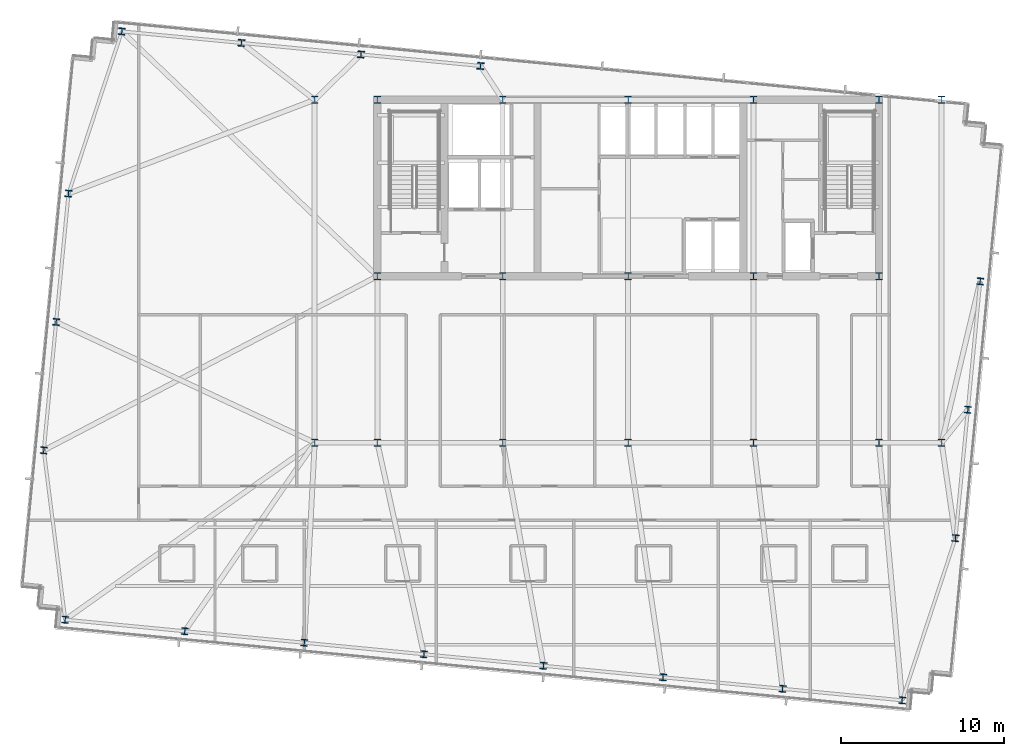
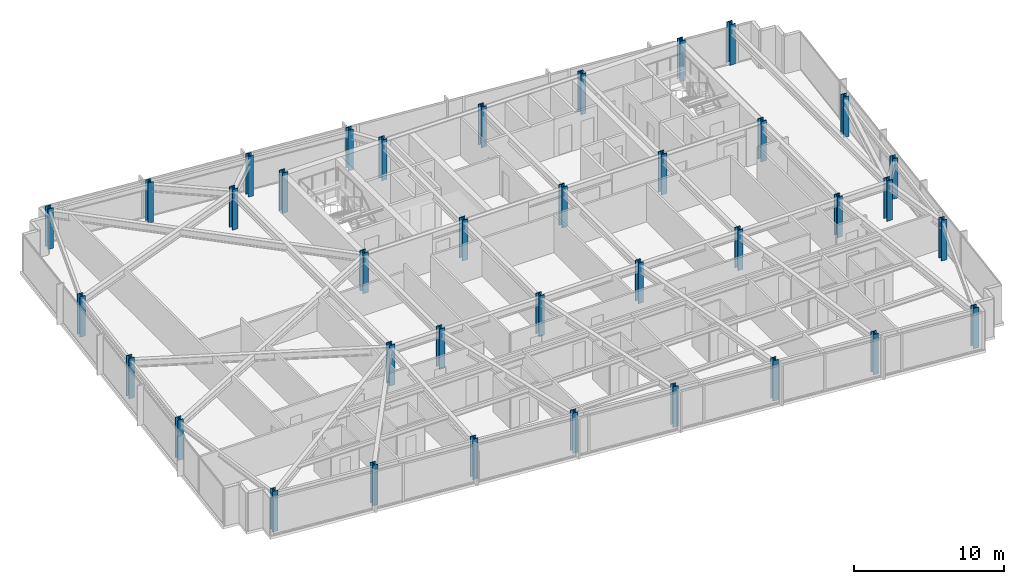
# One storey, part 1 of 38: 37 columns.
"""IFC4 building model written with IfcOpenShell, lengths in metres."""

from ifc_helpers import new_model, si_unit, direction, frame, origin, origin_2d, place, context, subcontext, project, spatial, i_section, extrude, material, material_profile, profile_set, type_object, element, save


model = new_model("IFC4")

# Units and contexts
model_context = context("Model", 3, precision=1e-05, world=origin(), true_north=direction((0.0, 1.0)))
body_context = subcontext(model_context, "Body", "Model", "MODEL_VIEW")
ifc_project = project(units=[si_unit("LENGTHUNIT", "METRE"), si_unit("AREAUNIT", "SQUARE_METRE"), si_unit("VOLUMEUNIT", "CUBIC_METRE"), si_unit("PLANEANGLEUNIT", "RADIAN"), si_unit("MASSUNIT", "GRAM", prefix="KILO")], contexts=[model_context])

# Site, building, storey
site_placement = place(None, origin())
site = spatial("IfcSite", under=ifc_project, at=site_placement, CompositionType="ELEMENT")
building_placement = place(site_placement, origin())
building = spatial("IfcBuilding", under=site, at=building_placement, Name="Yelkora Congress Tower", CompositionType="ELEMENT")
storey_placement = place(building_placement, frame((0.0, 0.0, 185.300048828125)))
storey = spatial("IfcBuildingStorey", under=building, at=storey_placement, Name="L51", CompositionType="ELEMENT", Elevation=185.300048828125)

# Columns
ifc_material = material(Name="Steel S460M", Category="steel")
ifc_material_profile_1 = material_profile(ifc_material, i_section(OverallWidth=0.406005859375, OverallDepth=0.416015625, WebThickness=0.02978515625, FlangeThickness=0.048095703125, FilletRadius=0.014892578125, at=origin_2d()), Name="HD 400x382")
ifc_profile_set_1 = profile_set([ifc_material_profile_1], Name="Steel S460M")
column_type_1 = type_object("IfcColumnType", Name="COL-HD-382-EXT", PredefinedType="COLUMN", material=ifc_profile_set_1)
for number, where, z_axis, x_axis, name in (
    (1, (3.919189453125, 14.357421875, 0.0), (0.0, 0.0, 1.0), (0.995396198367, -0.09584575252, 0.0), "L51 Perimeter Column S01"),
    (2, (11.242431640625, 13.652099609375, 0.0), (0.0, 0.0, 1.0), (0.995396198367, -0.09584575252, 0.0), "L51 Perimeter Column S02"),
    (3, (18.56591796875, 12.947021484375, 0.0), (0.0, 0.0, 1.0), (0.995396198367, -0.09584575252, 0.0), "L51 Perimeter Column S03"),
    (4, (25.888916015625, 12.24169921875, 0.0), (0.0, 0.0, 1.0), (0.995396198367, -0.09584575252, 0.0), "L51 Perimeter Column S04"),
    (5, (33.21240234375, 11.53662109375, 0.0), (0.0, 0.0, 1.0), (0.995396198367, -0.09584575252, 0.0), "L51 Perimeter Column S05"),
    (6, (40.53564453125, 10.83154296875, 0.0), (0.0, 0.0, 1.0), (0.995396198367, -0.09584575252, 0.0), "L51 Perimeter Column S06"),
    (7, (47.85888671875, 10.12646484375, 0.0), (0.0, 0.0, 1.0), (0.995396198367, -0.09584575252, 0.0), "L51 Perimeter Column S07"),
    (8, (55.18212890625, 9.421142578125, 0.0), (0.0, 0.0, 1.0), (0.995396198367, -0.09584575252, 0.0), "L51 Perimeter Column S08"),
    (9, (7.388916015625, 50.390625, 0.0), (0.0, 0.0, 1.0), (0.995396198367, -0.09584575252, 0.0), "L51 Perimeter Column N01"),
    (10, (14.712158203125, 49.685546875, 0.0), (0.0, 0.0, 1.0), (0.995396198367, -0.09584575252, 0.0), "L51 Perimeter Column N02"),
    (11, (22.035400390625, 48.980224609375, 0.0), (0.0, 0.0, 1.0), (0.995396198367, -0.09584575252, 0.0), "L51 Perimeter Column N03"),
    (12, (29.358642578125, 48.275146484375, 0.0), (0.0, 0.0, 1.0), (0.995396198367, -0.09584575252, 0.0), "L51 Perimeter Column N04"),
    (13, (2.607421875, 24.730712890625, 0.0), (0.0, 0.0, 1.0), (0.995396198367, -0.09584575252, 0.0), "L51 Perimeter Column W01"),
    (14, (58.44921875, 19.353759765625, 0.0), (0.0, 0.0, 1.0), (0.995396198367, -0.09584575252, 0.0), "L51 Perimeter Column E01"),
    (15, (3.364501953125, 32.594482421875, 0.0), (0.0, 0.0, 1.0), (0.995396198367, -0.09584575252, 0.0), "L51 Perimeter Column W02"),
    (16, (59.206298828125, 27.217529296875, 0.0), (0.0, 0.0, 1.0), (0.995396198367, -0.09584575252, 0.0), "L51 Perimeter Column E02"),
    (17, (4.121826171875, 40.4580078125, 0.0), (0.0, 0.0, 1.0), (0.995396198367, -0.09584575252, 0.0), "L51 Perimeter Column W03"),
    (18, (59.96337890625, 35.0810546875, 0.0), (0.0, 0.0, 1.0), (0.995396198367, -0.09584575252, 0.0), "L51 Perimeter Column E03"),
):
    element("IfcColumn", number, at=place(storey_placement, frame(where, z_axis=z_axis, x_axis=x_axis)), inside=storey, type_object=column_type_1, Name=name, PredefinedType="COLUMN", context=body_context, shape_type="SweptSolid", body=[
        extrude(i_section(OverallWidth=0.406005859375, OverallDepth=0.416015625, WebThickness=0.02978515625, FlangeThickness=0.048095703125, FilletRadius=0.014892578125, at=origin_2d()), origin(), (0.0, 0.0, 1.0), 3.300048828125),
    ])
ifc_material_profile_2 = material_profile(ifc_material, i_section(OverallWidth=0.41796875, OverallDepth=0.455078125, WebThickness=0.0419921875, FlangeThickness=0.068115234375, FilletRadius=0.014892578125, at=origin_2d()), Name="HD 400x551")
ifc_profile_set_2 = profile_set([ifc_material_profile_2], Name="Steel S460M")
column_type_2 = type_object("IfcColumnType", Name="COL-HD-551", PredefinedType="COLUMN", material=ifc_profile_set_2)
for number, where, z_axis, x_axis, name in (
    (19, (23.0400390625, 35.39990234375, 0.0), (0.0, 0.0, 1.0), (1.0, 0.0, 0.0), "L51 Mega Column MC-S1"),
    (20, (23.0400390625, 46.199951171875, 0.0), (0.0, 0.0, 1.0), (1.0, 0.0, 0.0), "L51 Mega Column MC-N1"),
    (21, (23.0400390625, 25.199951171875, 0.0), (0.0, 0.0, 1.0), (1.0, 0.0, 0.0), "L51 Mega Column MC-D1"),
    (22, (30.719970703125, 35.39990234375, 0.0), (0.0, 0.0, 1.0), (1.0, 0.0, 0.0), "L51 Mega Column MC-S2"),
    (23, (30.719970703125, 46.199951171875, 0.0), (0.0, 0.0, 1.0), (1.0, 0.0, 0.0), "L51 Mega Column MC-N2"),
    (24, (30.719970703125, 25.199951171875, 0.0), (0.0, 0.0, 1.0), (1.0, 0.0, 0.0), "L51 Mega Column MC-D2"),
    (25, (38.39990234375, 35.39990234375, 0.0), (0.0, 0.0, 1.0), (1.0, 0.0, 0.0), "L51 Mega Column MC-S3"),
    (26, (38.39990234375, 46.199951171875, 0.0), (0.0, 0.0, 1.0), (1.0, 0.0, 0.0), "L51 Mega Column MC-N3"),
    (27, (38.39990234375, 25.199951171875, 0.0), (0.0, 0.0, 1.0), (1.0, 0.0, 0.0), "L51 Mega Column MC-D3"),
    (28, (46.080078125, 35.39990234375, 0.0), (0.0, 0.0, 1.0), (1.0, 0.0, 0.0), "L51 Mega Column MC-S4"),
    (29, (46.080078125, 46.199951171875, 0.0), (0.0, 0.0, 1.0), (1.0, 0.0, 0.0), "L51 Mega Column MC-N4"),
    (30, (46.080078125, 25.199951171875, 0.0), (0.0, 0.0, 1.0), (1.0, 0.0, 0.0), "L51 Mega Column MC-D4"),
    (31, (53.760009765625, 35.39990234375, 0.0), (0.0, 0.0, 1.0), (1.0, 0.0, 0.0), "L51 Mega Column MC-S5"),
    (32, (53.760009765625, 46.199951171875, 0.0), (0.0, 0.0, 1.0), (1.0, 0.0, 0.0), "L51 Mega Column MC-N5"),
    (33, (53.760009765625, 25.199951171875, 0.0), (0.0, 0.0, 1.0), (1.0, 0.0, 0.0), "L51 Mega Column MC-D5"),
    (34, (19.199951171875, 25.199951171875, 0.0), (0.0, 0.0, 1.0), (1.0, 0.0, 0.0), "L51 Mega Column MC-F1"),
    (35, (57.60009765625, 25.199951171875, 0.0), (0.0, 0.0, 1.0), (1.0, 0.0, 0.0), "L51 Mega Column MC-F2"),
    (36, (19.199951171875, 46.199951171875, 0.0), (0.0, 0.0, 1.0), (1.0, 0.0, 0.0), "L51 Mega Column MC-F3"),
    (37, (57.60009765625, 46.199951171875, 0.0), (0.0, 0.0, 1.0), (1.0, 0.0, 0.0), "L51 Mega Column MC-F4"),
):
    element("IfcColumn", number, at=place(storey_placement, frame(where, z_axis=z_axis, x_axis=x_axis)), inside=storey, type_object=column_type_2, Name=name, PredefinedType="COLUMN", context=body_context, shape_type="SweptSolid", body=[
        extrude(i_section(OverallWidth=0.41796875, OverallDepth=0.455078125, WebThickness=0.0419921875, FlangeThickness=0.068115234375, FilletRadius=0.014892578125, at=origin_2d()), origin(), (0.0, 0.0, 1.0), 3.300048828125),
    ])

save(model, "model.ifc")
